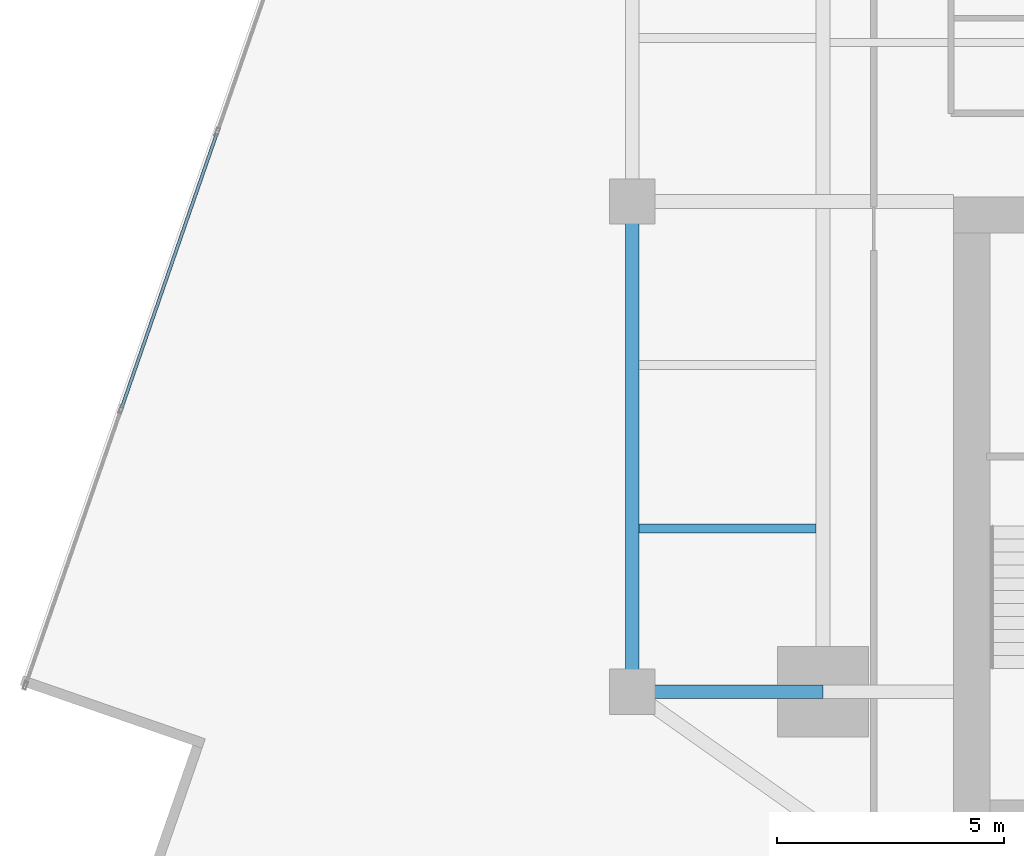
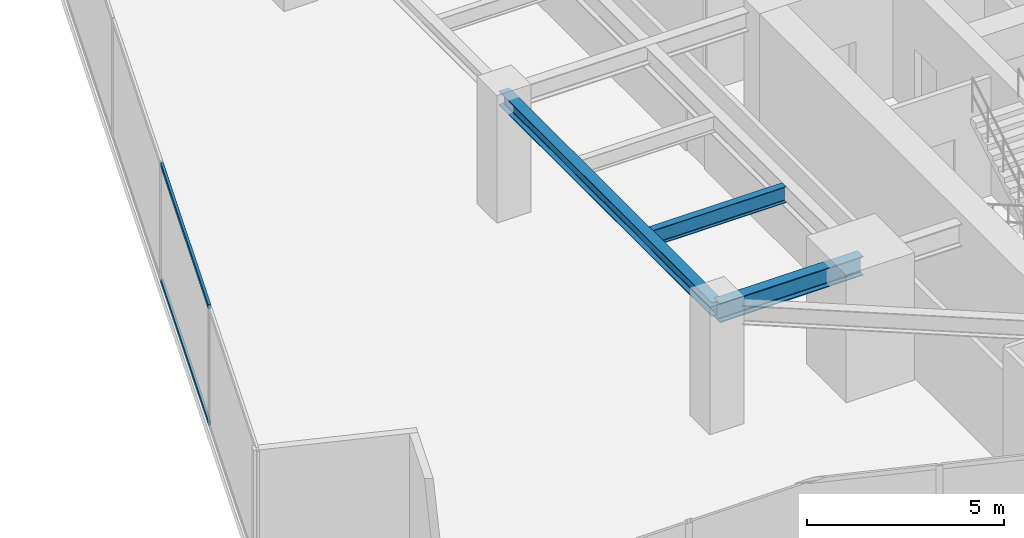
# One storey, part 7 of 27: 3 beams, 2 members, 1 element without a shape of its own.
"""IFC4 building model written with IfcOpenShell, lengths in metres."""

import ifcopenshell
import ifcopenshell.guid

model = None  # the IFC model being written
_history = None  # IfcOwnerHistory: only IFC2X3 demands one
_inside = {}  # id of a spatial element -> (the spatial element, [elements in it])
_under = {}  # id of a project, library or spatial element -> (it, [spatial elements below it])
_declared = {}  # id of a project -> (the project, [libraries it declares])
_typed = {}  # id of a type object -> (the type object, [elements of that type])
_made_of = {}  # id of a material, layer set ... -> (it, [elements and type objects made of it])


def new_model(schema):
    """Start an empty IFC model of exactly this schema.

    Asked for "IFC4X3", IfcOpenShell would pick the latest addendum, in which some entities
    have other attributes; the version numbers below select the first issue.
    IFC2X3 requires an IfcOwnerHistory on every rooted entity: one is made here for all.
    """
    global model, _history
    if schema == "IFC4X3":
        model = ifcopenshell.file(schema_version=(4, 3, 0, 0))
    else:
        model = ifcopenshell.file(schema=schema)
    _inside.clear()
    _under.clear()
    _declared.clear()
    _typed.clear()
    _made_of.clear()
    _history = None
    if model.schema == "IFC2X3":
        org = make("IfcOrganization", Name="unknown")
        user = make(
            "IfcPersonAndOrganization",
            ThePerson=make("IfcPerson", FamilyName="unknown"),
            TheOrganization=org,
        )
        app = make(
            "IfcApplication",
            ApplicationDeveloper=org,
            Version="unknown",
            ApplicationFullName="unknown",
            ApplicationIdentifier="unknown",
        )
        _history = make(
            "IfcOwnerHistory",
            OwningUser=user,
            OwningApplication=app,
            ChangeAction="ADDED",
            CreationDate=0,
        )
    return model


def make(cls, **values):
    """One entity of the class cls with the attributes given. An attribute that is None is left unset."""
    return model.create_entity(
        cls, **{name: value for name, value in values.items() if value is not None}
    )


def rooted(cls, **values):
    """An entity with a GlobalId (a new one), such as an element, a storey or a relation."""
    return make(cls, GlobalId=ifcopenshell.guid.new(), OwnerHistory=_history, **values)


def si_unit(unit_type, name, prefix=None):
    """IfcSIUnit, for example si_unit("LENGTHUNIT", "METRE", prefix="MILLI")."""
    return make("IfcSIUnit", UnitType=unit_type, Prefix=prefix, Name=name)


def assignment(units):
    """IfcUnitAssignment: the units of a project."""
    return None if units is None else make("IfcUnitAssignment", Units=units)


def point(xyz):
    """IfcCartesianPoint."""
    return None if xyz is None else make("IfcCartesianPoint", Coordinates=xyz)


def direction(xyz):
    """IfcDirection."""
    return None if xyz is None else make("IfcDirection", DirectionRatios=xyz)


def frame(location, z_axis=None, x_axis=None):
    """IfcAxis2Placement3D, a coordinate frame: its origin and axes. An axis left out is left unset."""
    return make(
        "IfcAxis2Placement3D",
        Location=point(location),
        Axis=direction(z_axis),
        RefDirection=direction(x_axis),
    )


def frame_2d(location, x_axis=None):
    """IfcAxis2Placement2D, a coordinate frame in the plane: its origin and x axis."""
    return make(
        "IfcAxis2Placement2D", Location=point(location), RefDirection=direction(x_axis)
    )


def origin():
    """The frame at (0, 0, 0) with its axes left unset."""
    return frame((0.0, 0.0, 0.0))


def origin_2d():
    """The frame at (0, 0) in the plane with its x axis left unset."""
    return frame_2d((0.0, 0.0))


def place(relative_to, where):
    """IfcLocalPlacement: puts the frame where relative to a parent placement (None: the world)."""
    return make(
        "IfcLocalPlacement", PlacementRelTo=relative_to, RelativePlacement=where
    )


def context(
    kind, dimensions, precision=None, world=None, true_north=None, identifier=None
):
    """IfcGeometricRepresentationContext, for example the 3D "Model" context."""
    return make(
        "IfcGeometricRepresentationContext",
        ContextIdentifier=identifier,
        ContextType=kind,
        CoordinateSpaceDimension=dimensions,
        Precision=precision,
        WorldCoordinateSystem=world,
        TrueNorth=true_north,
    )


def subcontext(parent, identifier, kind, view, scale=None):
    """IfcGeometricRepresentationSubContext, for example "Body" below "Model"."""
    return make(
        "IfcGeometricRepresentationSubContext",
        ContextIdentifier=identifier,
        ContextType=kind,
        ParentContext=parent,
        TargetScale=scale,
        TargetView=view,
    )


def project(units=None, contexts=None):
    """IfcProject with its units and contexts."""
    return rooted(
        "IfcProject",
        Name="project",
        RepresentationContexts=contexts,
        UnitsInContext=assignment(units),
    )


def spatial(cls, under=None, at=None, **own):
    """A site, building, storey or space (cls), placed at a placement, below another one or the project."""
    s = rooted(cls, ObjectPlacement=at, **own)
    if under is not None:
        _under.setdefault(under.id(), (under, []))[1].append(s)
    return s


def profile(cls, at=None, kind="AREA", **sizes):
    """A parametric profile (cls). Its sizes go by their IFC names, for example OverallWidth=200.0."""
    return make(cls, ProfileType=kind, Position=at, **sizes)


def hollow_rectangle(**sizes):
    """IfcRectangleHollowProfileDef."""
    return profile("IfcRectangleHollowProfileDef", **sizes)


def i_section(**sizes):
    """IfcIShapeProfileDef."""
    return profile("IfcIShapeProfileDef", **sizes)


def extrude(swept, where, along, depth):
    """IfcExtrudedAreaSolid: the profile swept, set in the frame where, extruded along a direction by depth."""
    return make(
        "IfcExtrudedAreaSolid",
        SweptArea=swept,
        Position=where,
        ExtrudedDirection=direction(along),
        Depth=depth,
    )


def shape(context_of_items, identifier, shape_type, items):
    """IfcShapeRepresentation: the items that make up one representation, for example the "Body"."""
    return make(
        "IfcShapeRepresentation",
        ContextOfItems=context_of_items,
        RepresentationIdentifier=identifier,
        RepresentationType=shape_type,
        Items=items,
    )


def source(mapping_origin, context_of_items, identifier, shape_type, items):
    """IfcRepresentationMap: a shape defined once, which mapped items show again and again."""
    return make(
        "IfcRepresentationMap",
        MappingOrigin=mapping_origin,
        MappedRepresentation=shape(context_of_items, identifier, shape_type, items),
    )


def transform(
    local_origin,
    x_axis=None,
    y_axis=None,
    z_axis=None,
    scale=None,
    scale2=None,
    scale3=None,
    uniform=True,
):
    """IfcCartesianTransformationOperator3D, or its non-uniform kind. x_axis, y_axis, z_axis: its Axis1, 2, 3."""
    if uniform:
        return make(
            "IfcCartesianTransformationOperator3D",
            Axis1=direction(x_axis),
            Axis2=direction(y_axis),
            LocalOrigin=point(local_origin),
            Scale=scale,
            Axis3=direction(z_axis),
        )
    return make(
        "IfcCartesianTransformationOperator3DnonUniform",
        Axis1=direction(x_axis),
        Axis2=direction(y_axis),
        LocalOrigin=point(local_origin),
        Scale=scale,
        Axis3=direction(z_axis),
        Scale2=scale2,
        Scale3=scale3,
    )


def mapped(mapping_source, mapping_target):
    """IfcMappedItem: shows the shape of a source again, moved by a transform."""
    return make(
        "IfcMappedItem", MappingSource=mapping_source, MappingTarget=mapping_target
    )


def material(Name=None, Category=None):
    """IfcMaterial."""
    return make("IfcMaterial", Name=Name, Category=Category)


def material_profile(
    of_material, cross_section, Name=None, Category=None, Priority=None
):
    """IfcMaterialProfile: a cross section and its material."""
    return make(
        "IfcMaterialProfile",
        Name=Name,
        Material=of_material,
        Profile=cross_section,
        Priority=Priority,
        Category=Category,
    )


def profile_set(profiles, Name=None, composite=None):
    """IfcMaterialProfileSet."""
    return make(
        "IfcMaterialProfileSet",
        Name=Name,
        MaterialProfiles=profiles,
        CompositeProfile=composite,
    )


def made_of(thing, what):
    """Note that an element or type object is made of a material, layer set ...; save() writes the relation."""
    if what is not None:
        _made_of.setdefault(what.id(), (what, []))[1].append(thing)
    return thing


def type_object(cls, material=None, **own):
    """A type object (cls), such as IfcWallType, which elements share."""
    return made_of(rooted(cls, **own), material)


def type_shapes(of_type, sources):
    """Give a type object the sources (RepresentationMaps) that its elements show as mapped items."""
    of_type.RepresentationMaps = sources


def element(
    cls,
    number,
    at=None,
    inside=None,
    cuts=None,
    type_object=None,
    material=None,
    context=None,
    identifier="Body",
    shape_type=None,
    held_by="IfcProductDefinitionShape",
    body=None,
    shapes=None,
    **own,
):
    """One element of the class cls, such as IfcWall. Its Tag is "e" and its number.

    at: its placement. inside: the storey or other place that contains it. cuts: it is an
    opening in that element (IfcRelVoidsElement). A single representation is given by context,
    identifier, shape_type and body (its items); several are given by shapes. held_by: the class
    of the entity that holds the representations. save() writes the other relations.
    """
    e = rooted(cls, Tag="e%d" % number, ObjectPlacement=at, **own)
    if body is not None:
        shapes = [shape(context, identifier, shape_type, body)]
    if shapes is not None:
        e.Representation = make(held_by, Representations=shapes)
    if inside is not None:
        _inside.setdefault(inside.id(), (inside, []))[1].append(e)
    if cuts is not None:
        rooted(
            "IfcRelVoidsElement", RelatingBuildingElement=cuts, RelatedOpeningElement=e
        )
    if type_object is not None:
        _typed.setdefault(type_object.id(), (type_object, []))[1].append(e)
    return made_of(e, material)


def aggregate(whole, parts):
    """IfcRelAggregates: a whole, such as a stair, and the parts it consists of."""
    return rooted("IfcRelAggregates", RelatingObject=whole, RelatedObjects=parts)


def save(model, path):
    """Write the relations noted so far, then the file.

    IfcRelAggregates (storeys below a building ...), IfcRelContainedInSpatialStructure (elements
    in a storey), IfcRelDefinesByType, IfcRelAssociatesMaterial and IfcRelDeclares: one each for
    every whole, place, type object, material and project.
    """
    for whole, parts in _under.values():
        aggregate(whole, parts)
    for where, things in _inside.values():
        rooted(
            "IfcRelContainedInSpatialStructure",
            RelatedElements=things,
            RelatingStructure=where,
        )
    for kind, things in _typed.values():
        rooted("IfcRelDefinesByType", RelatedObjects=things, RelatingType=kind)
    for what, things in _made_of.values():
        rooted("IfcRelAssociatesMaterial", RelatedObjects=things, RelatingMaterial=what)
    for by, libraries in _declared.values():
        rooted("IfcRelDeclares", RelatingContext=by, RelatedDefinitions=libraries)
    model.write(path)


model = new_model("IFC4")

# Units and contexts
model_context = context("Model", 3, precision=1e-05, world=origin(), true_north=direction((0.0, 1.0)))
body_context = subcontext(model_context, "Body", "Model", "MODEL_VIEW")
ifc_project = project(units=[si_unit("LENGTHUNIT", "METRE"), si_unit("AREAUNIT", "SQUARE_METRE"), si_unit("VOLUMEUNIT", "CUBIC_METRE"), si_unit("PLANEANGLEUNIT", "RADIAN"), si_unit("MASSUNIT", "GRAM", prefix="KILO")], contexts=[model_context])

# Site, building, storey
site_placement = place(None, origin())
site = spatial("IfcSite", under=ifc_project, at=site_placement, CompositionType="ELEMENT")
building_placement = place(site_placement, origin())
building = spatial("IfcBuilding", under=site, at=building_placement, Name="Krantzveldt Concourse Tower", CompositionType="ELEMENT")
storey_placement = place(building_placement, frame((0.0, 0.0, 125.60009765625)))
storey = spatial("IfcBuildingStorey", under=building, at=storey_placement, Name="L30", CompositionType="ELEMENT", Elevation=125.60009765625)

# Beams
ifc_material_1 = material(Name="Steel S355JR", Category="steel")
ifc_material_profile_1 = material_profile(ifc_material_1, i_section(OverallWidth=0.300048828125, OverallDepth=0.43994140625, WebThickness=0.011474609375, FlangeThickness=0.02099609375, FilletRadius=0.027099609375, at=origin_2d()), Name="Steel S355JR", Category="steel")
ifc_profile_set_1 = profile_set([ifc_material_profile_1], Name="Steel S355JR - HEA 450")
beam_type_1 = type_object("IfcBeamType", Name="BM-SP-HEA450", PredefinedType="SPANDREL", material=ifc_profile_set_1)
shared_shape_1 = source(origin(), body_context, "Body", "SweptSolid", [
    extrude(i_section(OverallWidth=0.300048828125, OverallDepth=0.43994140625, WebThickness=0.011474609375, FlangeThickness=0.02099609375, FilletRadius=0.027099609375, at=origin_2d()), origin(), (0.0, 0.0, 1.0), 10.800048828125),
])
type_shapes(beam_type_1, [shared_shape_1])
beam_1_placement = place(storey_placement, frame((21.0, 15.89990234375, 3.449951171875), z_axis=(0.0, 1.0, 0.0), x_axis=(-1.0, 0.0, 0.0)))
element("IfcBeam", 1, at=beam_1_placement, inside=storey, type_object=beam_type_1, Name="L30 Tower Girder SP-R01", PredefinedType="SPANDREL", context=body_context, shape_type="MappedRepresentation", body=[
    mapped(shared_shape_1, transform((0.0, 0.0, 0.0), x_axis=(1.0, 0.0, 0.0), y_axis=(0.0, 1.0, 0.0), z_axis=(0.0, 0.0, 1.0), scale=1.0)),
])
ifc_material_profile_2 = material_profile(ifc_material_1, i_section(OverallWidth=0.300048828125, OverallDepth=0.590087890625, WebThickness=0.012939453125, FlangeThickness=0.02490234375, FilletRadius=0.027099609375, at=origin_2d()), Name="Steel S355JR", Category="steel")
ifc_profile_set_2 = profile_set([ifc_material_profile_2], Name="Steel S355JR - HEA 600")
beam_type_2 = type_object("IfcBeamType", Name="BM-B-HEA600", PredefinedType="BEAM", material=ifc_profile_set_2)
shared_shape_2 = source(origin(), body_context, "Body", "SweptSolid", [
    extrude(i_section(OverallWidth=0.300048828125, OverallDepth=0.590087890625, WebThickness=0.012939453125, FlangeThickness=0.02490234375, FilletRadius=0.027099609375, at=origin_2d()), origin(), (0.0, 0.0, 1.0), 4.199951171875),
])
type_shapes(beam_type_2, [shared_shape_2])
beam_2_placement = place(storey_placement, frame((21.0, 15.89990234375, 3.375), z_axis=(1.0, 0.0, 0.0), x_axis=(0.0, 1.0, 0.0)))
element("IfcBeam", 2, at=beam_2_placement, inside=storey, type_object=beam_type_2, Name="L30 Tower Girder BR-RL1", PredefinedType="BEAM", context=body_context, shape_type="MappedRepresentation", body=[
    mapped(shared_shape_2, transform((0.0, 0.0, 0.0), x_axis=(1.0, 0.0, 0.0), y_axis=(0.0, 1.0, 0.0), z_axis=(0.0, 0.0, 1.0), scale=1.0)),
])
ifc_material_profile_3 = material_profile(ifc_material_1, i_section(OverallWidth=0.199951171875, OverallDepth=0.5, WebThickness=0.01025390625, FlangeThickness=0.01611328125, FilletRadius=0.02099609375, at=origin_2d()), Name="Steel S355JR", Category="steel")
ifc_profile_set_3 = profile_set([ifc_material_profile_3], Name="Steel S355JR - IPE 500")
beam_type_3 = type_object("IfcBeamType", Name="BM-J-IPE500", PredefinedType="JOIST", material=ifc_profile_set_3)
shared_shape_3 = source(origin(), body_context, "Body", "SweptSolid", [
    extrude(i_section(OverallWidth=0.199951171875, OverallDepth=0.5, WebThickness=0.01025390625, FlangeThickness=0.01611328125, FilletRadius=0.02099609375, at=origin_2d()), origin(), (0.0, 0.0, 1.0), 3.900146484375),
])
type_shapes(beam_type_3, [shared_shape_3])
beam_3_placement = place(storey_placement, frame((21.14990234375, 19.5, 3.419921875), z_axis=(1.0, 0.0, 0.0), x_axis=(0.0, 1.0, 0.0)))
element("IfcBeam", 3, at=beam_3_placement, inside=storey, type_object=beam_type_3, Name="L30 Secondary Floor Joist JW-1", PredefinedType="JOIST", context=body_context, shape_type="MappedRepresentation", body=[
    mapped(shared_shape_3, transform((0.0, 0.0, 0.0), x_axis=(1.0, 0.0, 0.0), y_axis=(0.0, 1.0, 0.0), z_axis=(0.0, 0.0, 1.0), scale=1.0)),
])

# Curtain wall, members
ifc_material_2 = material(Name="Anodised aluminium 6063-T6", Category="aluminium")
curtain_wall_type = type_object("IfcCurtainWallType", Name="CW2", PredefinedType="USERDEFINED", material=ifc_material_2)
curtain_wall_placement = place(storey_placement, origin())
curtain_wall = element("IfcCurtainWall", 4, at=curtain_wall_placement, inside=storey, type_object=curtain_wall_type, Name="CW-L30-F01", ObjectType="UNITISED CURTAIN WALL", PredefinedType="USERDEFINED")
ifc_material_profile_4 = material_profile(ifc_material_2, hollow_rectangle(XDim=0.070068359375, YDim=0.139892578125, WallThickness=0.0048828125, at=origin_2d()), Name="Anodised aluminium 6063-T6", Category="aluminium")
ifc_profile_set_4 = profile_set([ifc_material_profile_4], Name="Anodised aluminium 6063-T6 - ALU-TRAN 140x70x5")
member_type = type_object("IfcMemberType", Name="CW-TRN-150", PredefinedType="USERDEFINED", material=ifc_profile_set_4)
shared_shape_4 = source(origin(), body_context, "Body", "SweptSolid", [
    extrude(hollow_rectangle(XDim=0.070068359375, YDim=0.139892578125, WallThickness=0.0048828125, at=origin_2d()), origin(), (0.0, 0.0, 1.0), 6.396728515625),
])
type_shapes(member_type, [shared_shape_4])
member_1_placement = place(storey_placement, frame((11.846435546875, 28.1943359375, 0.034912109375), z_axis=(-0.327620443666, -0.944809422525, 0.0), x_axis=(0.944809422525, -0.327620443666, 0.0)))
member_1 = element("IfcMember", 5, at=member_1_placement, type_object=member_type, Name="CW-Z12 transom 5.1", ObjectType="TRANSOM", PredefinedType="USERDEFINED", context=body_context, shape_type="MappedRepresentation", body=[
    mapped(shared_shape_4, transform((0.0, 0.0, 0.0), x_axis=(1.0, 0.0, 0.0), y_axis=(0.0, 1.0, 0.0), z_axis=(0.0, 0.0, 1.0), scale=1.0)),
])
member_2_placement = place(storey_placement, frame((11.846435546875, 28.1943359375, 3.635009765625), z_axis=(-0.327620443666, -0.944809422525, 0.0), x_axis=(0.944809422525, -0.327620443666, 0.0)))
member_2 = element("IfcMember", 6, at=member_2_placement, type_object=member_type, Name="CW-Z12 transom 5.2", ObjectType="TRANSOM", PredefinedType="USERDEFINED", context=body_context, shape_type="MappedRepresentation", body=[
    mapped(shared_shape_4, transform((0.0, 0.0, 0.0), x_axis=(1.0, 0.0, 0.0), y_axis=(0.0, 1.0, 0.0), z_axis=(0.0, 0.0, 1.0), scale=1.0)),
])
aggregate(curtain_wall, [member_1, member_2])

save(model, "model.ifc")
